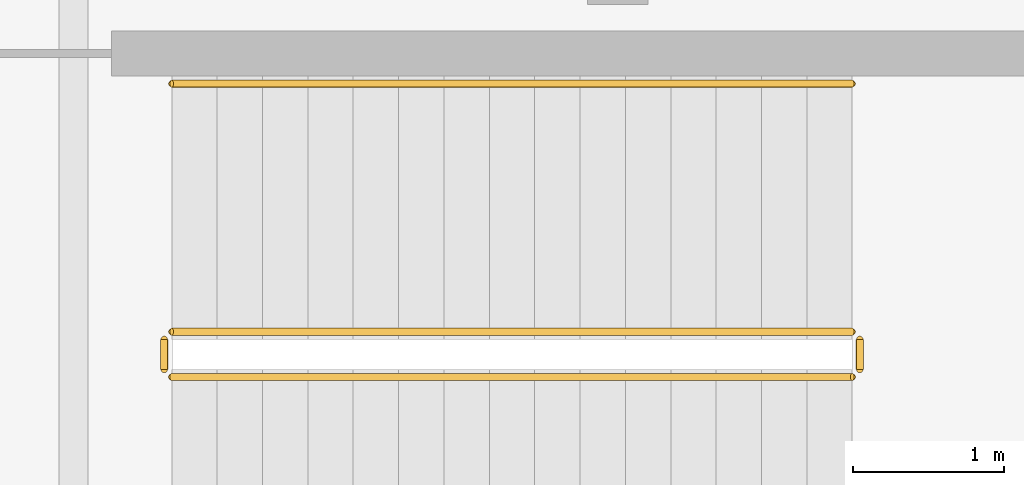
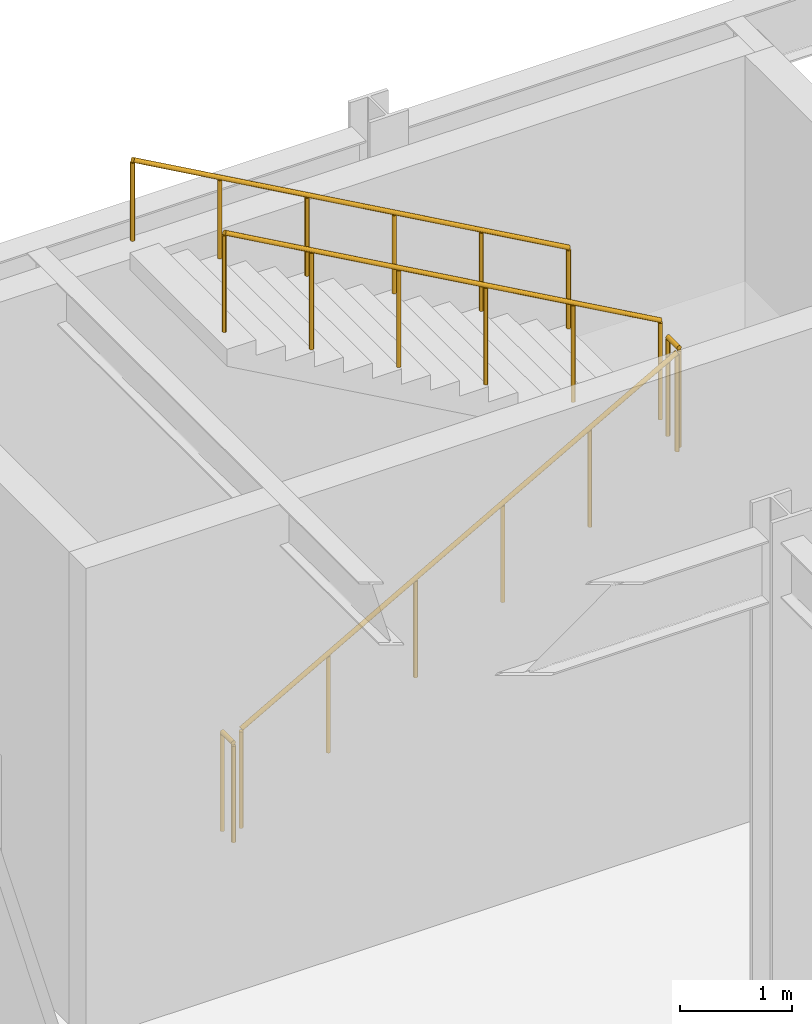
# One storey, part 91 of 104: 5 railings.
"""IFC4 building model written with IfcOpenShell, lengths in metres."""

from ifc_helpers import new_model, si_unit, direction, frame, origin, origin_2d, place, context, subcontext, project, spatial, circle, extrude, material, layer, layer_set, type_object, element, save


model = new_model("IFC4")

# Units and contexts
model_context = context("Model", 3, precision=1e-05, world=origin(), true_north=direction((0.0, 1.0)))
body_context = subcontext(model_context, "Body", "Model", "MODEL_VIEW")
ifc_project = project(units=[si_unit("LENGTHUNIT", "METRE"), si_unit("AREAUNIT", "SQUARE_METRE"), si_unit("VOLUMEUNIT", "CUBIC_METRE"), si_unit("PLANEANGLEUNIT", "RADIAN"), si_unit("MASSUNIT", "GRAM", prefix="KILO")], contexts=[model_context])

# Site, building, storey
site_placement = place(None, origin())
site = spatial("IfcSite", under=ifc_project, at=site_placement, CompositionType="ELEMENT")
building_placement = place(site_placement, origin())
building = spatial("IfcBuilding", under=site, at=building_placement, Name="Vaelcorin Mobility Hub", CompositionType="ELEMENT")
storey_placement = place(building_placement, origin())
storey = spatial("IfcBuildingStorey", under=building, at=storey_placement, Name="L00", CompositionType="ELEMENT", Elevation=0.0)

# Railings
ifc_material = material(Name="Brushed stainless steel 316L", Category="steel")
ifc_layer_1 = layer(ifc_material, 0.048095703125)
ifc_layer_set_1 = layer_set([ifc_layer_1], Name="Brushed stainless steel 316L")
railing_type_1 = type_object("IfcRailingType", Name="RL-STAIR-GRD", PredefinedType="GUARDRAIL", material=ifc_layer_set_1)
railing_1_placement = place(storey_placement, frame((47.449951171875, 117.340087890625, 0.168701171875)))
element("IfcRailing", 1, at=railing_1_placement, inside=storey, type_object=railing_type_1, Name="L00 ST3 stair guard 1", PredefinedType="GUARDRAIL", context=body_context, shape_type="SweptSolid", body=[
    extrude(circle(Radius=0.02392578125, at=origin_2d()), frame((0.0, 0.0, 1.076171875), z_axis=(0.871575537125, 0.0, 0.490261239633), x_axis=(0.0, 1.0, 0.0)), (0.0, 0.0, 1.0), 5.1630859375),
    extrude(circle(Radius=0.02099609375, at=origin_2d()), origin(), (0.0, 0.0, 1.0), 1.052001953125),
    extrude(circle(Radius=0.02099609375, at=origin_2d()), frame((0.89990234375, 0.0, 0.50634765625)), (0.0, 0.0, 1.0), 1.052001953125),
    extrude(circle(Radius=0.02099609375, at=origin_2d()), frame((1.800048828125, 0.0, 1.012451171875)), (0.0, 0.0, 1.0), 1.052001953125),
    extrude(circle(Radius=0.02099609375, at=origin_2d()), frame((2.699951171875, 0.0, 1.518798828125)), (0.0, 0.0, 1.0), 1.052001953125),
    extrude(circle(Radius=0.02099609375, at=origin_2d()), frame((3.60009765625, 0.0, 2.02490234375)), (0.0, 0.0, 1.0), 1.052001953125),
    extrude(circle(Radius=0.02099609375, at=origin_2d()), frame((4.5, 0.0, 2.53125)), (0.0, 0.0, 1.0), 1.052001953125),
])
railing_2_placement = place(storey_placement, frame((52.0, 117.389892578125, 2.699951171875)))
element("IfcRailing", 2, at=railing_2_placement, inside=storey, type_object=railing_type_1, Name="L00 ST3 stair guard 2", PredefinedType="GUARDRAIL", context=body_context, shape_type="SweptSolid", body=[
    extrude(circle(Radius=0.02392578125, at=origin_2d()), frame((0.0, 0.0, 1.076171875), z_axis=(0.0, 1.0, 0.0), x_axis=(-1.0, 0.0, 0.0)), (0.0, 0.0, 1.0), 0.2001953125),
    extrude(circle(Radius=0.02099609375, at=origin_2d()), origin(), (0.0, 0.0, 1.0), 1.052001953125),
    extrude(circle(Radius=0.02099609375, at=origin_2d()), frame((0.0, 0.2001953125, 0.0)), (0.0, 0.0, 1.0), 1.052001953125),
])
railing_3_placement = place(storey_placement, frame((51.949951171875, 117.639892578125, 2.86865234375)))
element("IfcRailing", 3, at=railing_3_placement, inside=storey, type_object=railing_type_1, Name="L00 ST3 stair guard 3", PredefinedType="GUARDRAIL", context=body_context, shape_type="SweptSolid", body=[
    extrude(circle(Radius=0.02392578125, at=origin_2d()), frame((0.0, 0.0, 1.076171875), z_axis=(-0.871575537125, 0.0, 0.490261239633), x_axis=(0.0, -1.0, 0.0)), (0.0, 0.0, 1.0), 5.1630859375),
    extrude(circle(Radius=0.02099609375, at=origin_2d()), origin(), (0.0, 0.0, 1.0), 1.052001953125),
    extrude(circle(Radius=0.02099609375, at=origin_2d()), frame((-0.89990234375, 0.0, 0.50634765625)), (0.0, 0.0, 1.0), 1.052001953125),
    extrude(circle(Radius=0.02099609375, at=origin_2d()), frame((-1.800048828125, 0.0, 1.012451171875)), (0.0, 0.0, 1.0), 1.052001953125),
    extrude(circle(Radius=0.02099609375, at=origin_2d()), frame((-2.699951171875, 0.0, 1.518798828125)), (0.0, 0.0, 1.0), 1.052001953125),
    extrude(circle(Radius=0.02099609375, at=origin_2d()), frame((-3.60009765625, 0.0, 2.02490234375)), (0.0, 0.0, 1.0), 1.052001953125),
    extrude(circle(Radius=0.02099609375, at=origin_2d()), frame((-4.5, 0.0, 2.53125)), (0.0, 0.0, 1.0), 1.052001953125),
])
railing_4_placement = place(storey_placement, frame((47.39990234375, 117.389892578125, 0.0)))
element("IfcRailing", 4, at=railing_4_placement, inside=storey, type_object=railing_type_1, Name="L00 ST3 stair guard 4", PredefinedType="GUARDRAIL", context=body_context, shape_type="SweptSolid", body=[
    extrude(circle(Radius=0.02392578125, at=origin_2d()), frame((0.0, 0.0, 1.076171875), z_axis=(0.0, 1.0, 0.0), x_axis=(-1.0, 0.0, 0.0)), (0.0, 0.0, 1.0), 0.2001953125),
    extrude(circle(Radius=0.02099609375, at=origin_2d()), origin(), (0.0, 0.0, 1.0), 1.052001953125),
    extrude(circle(Radius=0.02099609375, at=origin_2d()), frame((0.0, 0.2001953125, 0.0)), (0.0, 0.0, 1.0), 1.052001953125),
])
ifc_layer_2 = layer(ifc_material, 0.048095703125)
ifc_layer_set_2 = layer_set([ifc_layer_2], Name="Brushed stainless steel 316L")
railing_type_2 = type_object("IfcRailingType", Name="RL-STAIR-HR", PredefinedType="HANDRAIL", material=ifc_layer_set_2)
railing_5_placement = place(storey_placement, frame((51.949951171875, 119.280029296875, 2.86865234375)))
element("IfcRailing", 5, at=railing_5_placement, inside=storey, type_object=railing_type_2, Name="L00 ST3 stair handrail 2", PredefinedType="HANDRAIL", context=body_context, shape_type="SweptSolid", body=[
    extrude(circle(Radius=0.02392578125, at=origin_2d()), frame((0.0, 0.0, 0.8759765625), z_axis=(-0.871575537125, 0.0, 0.490261239633), x_axis=(0.0, -1.0, 0.0)), (0.0, 0.0, 1.0), 5.1630859375),
    extrude(circle(Radius=0.02099609375, at=origin_2d()), origin(), (0.0, 0.0, 1.0), 0.851806640625),
    extrude(circle(Radius=0.02099609375, at=origin_2d()), frame((-0.89990234375, 0.0, 0.50634765625)), (0.0, 0.0, 1.0), 0.851806640625),
    extrude(circle(Radius=0.02099609375, at=origin_2d()), frame((-1.800048828125, 0.0, 1.012451171875)), (0.0, 0.0, 1.0), 0.851806640625),
    extrude(circle(Radius=0.02099609375, at=origin_2d()), frame((-2.699951171875, 0.0, 1.518798828125)), (0.0, 0.0, 1.0), 0.851806640625),
    extrude(circle(Radius=0.02099609375, at=origin_2d()), frame((-3.60009765625, 0.0, 2.02490234375)), (0.0, 0.0, 1.0), 0.851806640625),
    extrude(circle(Radius=0.02099609375, at=origin_2d()), frame((-4.5, 0.0, 2.53125)), (0.0, 0.0, 1.0), 0.851806640625),
])

save(model, "model.ifc")
